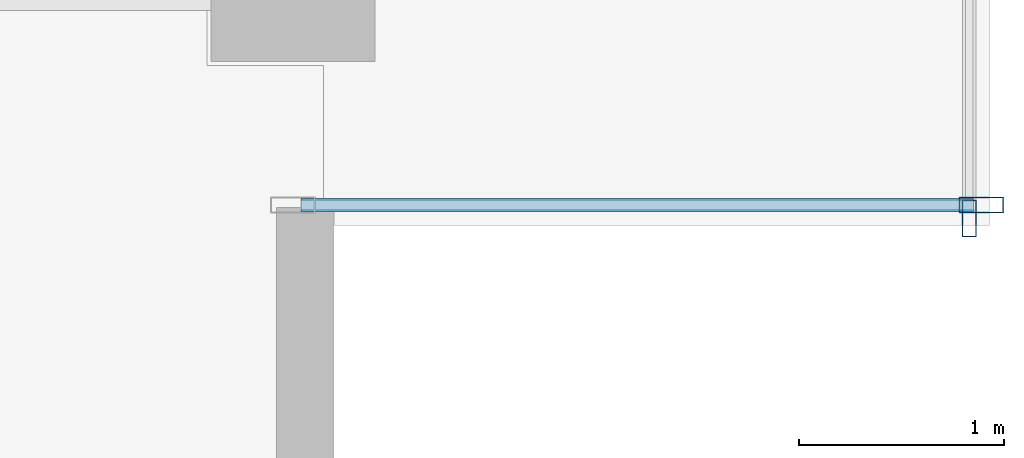
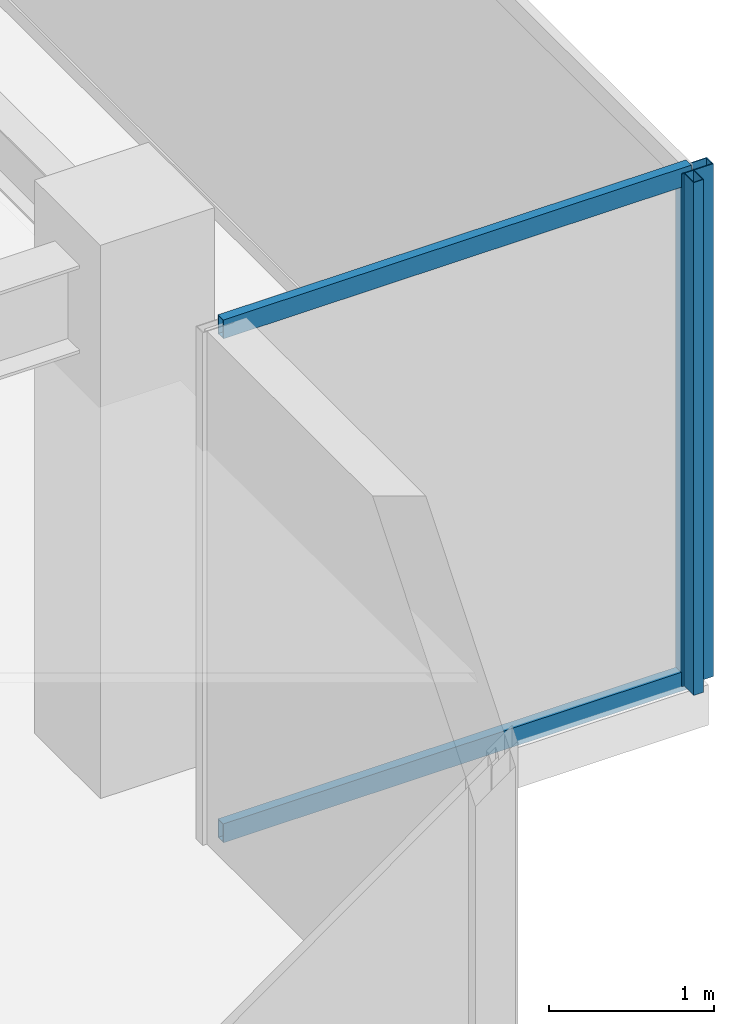
# One storey, part 22 of 35: 4 members, 2 elements without a shape of their own.
"""IFC4 building model written with IfcOpenShell, lengths in metres."""

from ifc_helpers import new_model, si_unit, direction, frame, origin, origin_2d, place, context, subcontext, project, spatial, hollow_rectangle, extrude, source, transform, mapped, material, layer, layer_set, material_profile, profile_set, type_object, type_shapes, element, aggregate, save


model = new_model("IFC4")

# Units and contexts
model_context = context("Model", 3, precision=1e-05, world=origin(), true_north=direction((0.0, 1.0)))
body_context = subcontext(model_context, "Body", "Model", "MODEL_VIEW")
ifc_project = project(units=[si_unit("LENGTHUNIT", "METRE"), si_unit("AREAUNIT", "SQUARE_METRE"), si_unit("VOLUMEUNIT", "CUBIC_METRE"), si_unit("PLANEANGLEUNIT", "RADIAN"), si_unit("MASSUNIT", "GRAM", prefix="KILO")], contexts=[model_context])

# Site, building, storey
site_placement = place(None, origin())
site = spatial("IfcSite", under=ifc_project, at=site_placement, CompositionType="ELEMENT")
building_placement = place(site_placement, origin())
building = spatial("IfcBuilding", under=site, at=building_placement, Name="Haelvirn Gate Laboratories", CompositionType="ELEMENT")
storey_placement = place(building_placement, frame((0.0, 0.0, 221.89990234375)))
storey = spatial("IfcBuildingStorey", under=building, at=storey_placement, Name="L53", CompositionType="ELEMENT", Elevation=221.89990234375)

# Curtain wall, members
ifc_material_1 = material(Name="Anodised bronze unitised aluminium & triple low-E glass", Category="aluminium")
ifc_layer_1 = layer(ifc_material_1, 0.181884765625, Name="CW-SYS-5")
ifc_layer_set_1 = layer_set([ifc_layer_1], Name="Anodised bronze unitised aluminium & triple low-E glass")
curtain_wall_type_1 = type_object("IfcCurtainWallType", Name="CW-SYS-5", PredefinedType="NOTDEFINED", material=ifc_layer_set_1)
curtain_wall_1_placement = place(storey_placement, origin())
curtain_wall_1 = element("IfcCurtainWall", 1, at=curtain_wall_1_placement, inside=storey, type_object=curtain_wall_type_1, Name="L53 Unitised Curtain Wall CW-L53-P0-E06-1", PredefinedType="NOTDEFINED")
ifc_material_2 = material(Name="Extruded aluminium 6063-T6 (anodised bronze)", Category="aluminium")
ifc_material_profile_1 = material_profile(ifc_material_2, hollow_rectangle(XDim=0.06494140625, YDim=0.139892578125, WallThickness=0.00390625, at=origin_2d()), Name="CWT-140x65x4")
ifc_profile_set_1 = profile_set([ifc_material_profile_1], Name="Extruded aluminium 6063-T6 (anodised bronze)")
member_type_1 = type_object("IfcMemberType", Name="CWT-T140", PredefinedType="USERDEFINED", material=ifc_profile_set_1)
shared_shape_1 = source(origin(), body_context, "Body", "SweptSolid", [
    extrude(hollow_rectangle(XDim=0.06494140625, YDim=0.139892578125, WallThickness=0.00390625, at=origin_2d()), origin(), (0.0, 0.0, 1.0), 3.280029296875),
])
type_shapes(member_type_1, [shared_shape_1])
member_1_placement = place(storey_placement, frame((67.43994140625, 5.89990234375, 0.03271484375), z_axis=(1.0, 0.0, 0.0), x_axis=(0.0, 1.0, 0.0)))
member_1 = element("IfcMember", 2, at=member_1_placement, type_object=member_type_1, Name="CW5 transom 1.1", ObjectType="TRANSOM", PredefinedType="USERDEFINED", context=body_context, shape_type="MappedRepresentation", body=[
    mapped(shared_shape_1, transform((0.0, 0.0, 0.0), scale=1.0)),
])
member_2_placement = place(storey_placement, frame((67.43994140625, 5.89990234375, 3.767578125), z_axis=(1.0, 0.0, 0.0), x_axis=(0.0, 1.0, 0.0)))
member_2 = element("IfcMember", 3, at=member_2_placement, type_object=member_type_1, Name="CW5 transom 1.2", ObjectType="TRANSOM", PredefinedType="USERDEFINED", context=body_context, shape_type="MappedRepresentation", body=[
    mapped(shared_shape_1, transform((0.0, 0.0, 0.0), scale=1.0)),
])

# Curtain wall, member
ifc_layer_2 = layer(ifc_material_1, 0.176025390625, Name="CW-SYS-4")
ifc_layer_set_2 = layer_set([ifc_layer_2], Name="Anodised bronze unitised aluminium & triple low-E glass")
curtain_wall_type_2 = type_object("IfcCurtainWallType", Name="CW-SYS-4", PredefinedType="NOTDEFINED", material=ifc_layer_set_2)
curtain_wall_2_placement = place(storey_placement, origin())
curtain_wall_2 = element("IfcCurtainWall", 4, at=curtain_wall_2_placement, inside=storey, type_object=curtain_wall_type_2, Name="L53 Unitised Curtain Wall CW-L53-P0-E07", PredefinedType="NOTDEFINED")
ifc_material_profile_2 = material_profile(ifc_material_2, hollow_rectangle(XDim=0.070068359375, YDim=0.179931640625, WallThickness=0.0048828125, at=origin_2d()), Name="CWM-180x70x5")
ifc_profile_set_2 = profile_set([ifc_material_profile_2], Name="Extruded aluminium 6063-T6 (anodised bronze)")
member_type_2 = type_object("IfcMemberType", Name="CWM-T180", PredefinedType="MULLION", material=ifc_profile_set_2)
shared_shape_2 = source(origin(), body_context, "Body", "SweptSolid", [
    extrude(hollow_rectangle(XDim=0.070068359375, YDim=0.179931640625, WallThickness=0.0048828125, at=origin_2d()), origin(), (0.0, 0.0, 1.0), 3.800048828125),
])
type_shapes(member_type_2, [shared_shape_2])
member_3_placement = place(storey_placement, frame((70.699951171875, 5.8349609375, 0.0), z_axis=(0.0, 0.0, 1.0), x_axis=(-1.0, 0.0, 0.0)))
member_3 = element("IfcMember", 5, at=member_3_placement, type_object=member_type_2, Name="CW4 mullion 1", PredefinedType="MULLION", context=body_context, shape_type="MappedRepresentation", body=[
    mapped(shared_shape_2, transform((0.0, 0.0, 0.0), scale=1.0)),
])
aggregate(curtain_wall_2, [member_3])

# Member
ifc_material_profile_3 = material_profile(ifc_material_2, hollow_rectangle(XDim=0.080078125, YDim=0.219970703125, WallThickness=0.006103515625, at=origin_2d()), Name="CWM-220x80x6")
ifc_profile_set_3 = profile_set([ifc_material_profile_3], Name="Extruded aluminium 6063-T6 (anodised bronze)")
member_type_3 = type_object("IfcMemberType", Name="CWM-T220", PredefinedType="MULLION", material=ifc_profile_set_3)
shared_shape_3 = source(origin(), body_context, "Body", "SweptSolid", [
    extrude(hollow_rectangle(XDim=0.080078125, YDim=0.219970703125, WallThickness=0.006103515625, at=origin_2d()), origin(), (0.0, 0.0, 1.0), 3.800048828125),
])
type_shapes(member_type_3, [shared_shape_3])
member_4_placement = place(storey_placement, frame((70.760009765625, 5.89990234375, 0.0), z_axis=(0.0, 0.0, 1.0), x_axis=(0.0, 1.0, 0.0)))
member_4 = element("IfcMember", 6, at=member_4_placement, type_object=member_type_3, Name="CW5 mullion 2", PredefinedType="MULLION", context=body_context, shape_type="MappedRepresentation", body=[
    mapped(shared_shape_3, transform((0.0, 0.0, 0.0), scale=1.0)),
])

aggregate(curtain_wall_1, [member_4, member_1, member_2])

save(model, "model.ifc")
